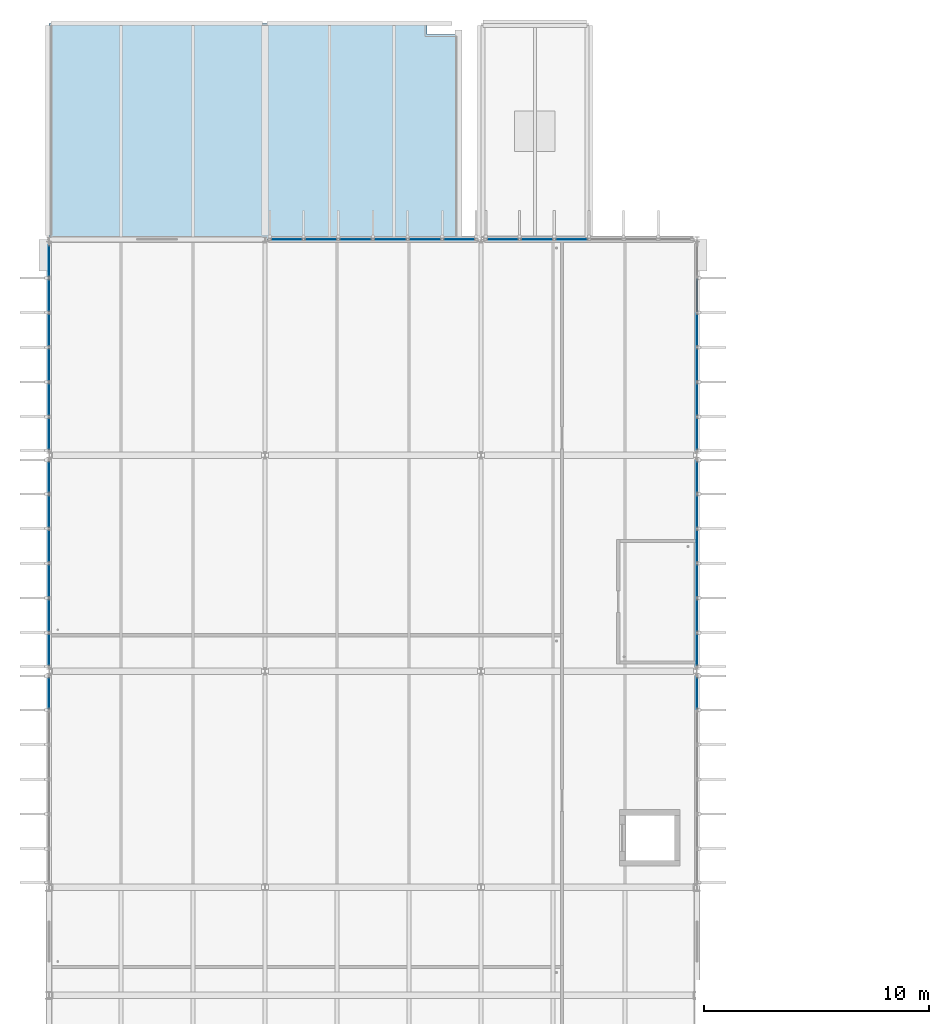
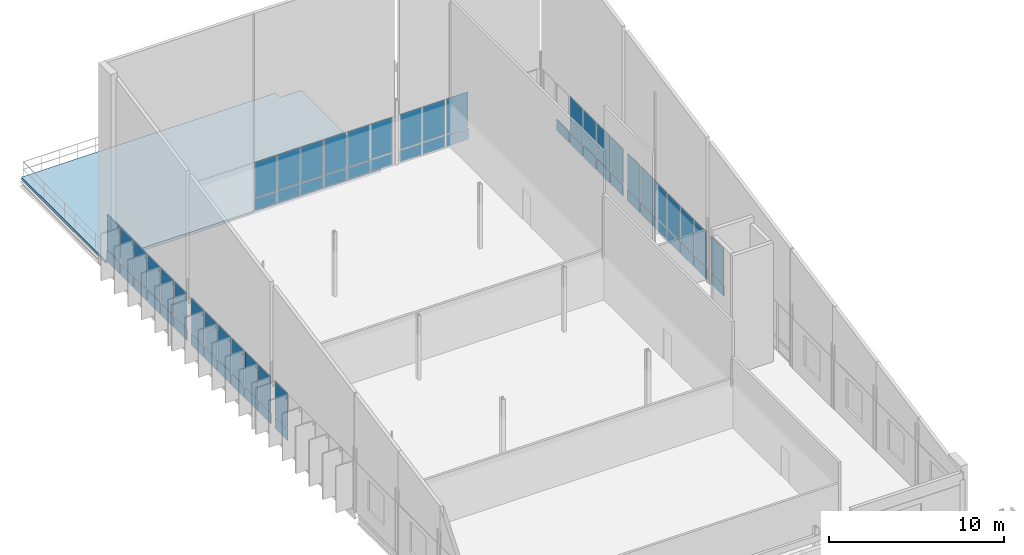
# One storey, part 45 of 93: 67 plates, 1 slab, 8 elements without a shape of their own.
"""IFC4 building model written with IfcOpenShell, lengths in metres."""

from ifc_helpers import new_model, si_unit, direction, frame, origin, origin_2d, place, context, subcontext, project, spatial, polyline, rectangle, outline, extrude, material, layer, layer_set, type_object, element, aggregate, save


model = new_model("IFC4")

# Units and contexts
model_context = context("Model", 3, precision=1e-05, world=origin(), true_north=direction((0.0, 1.0)))
body_context = subcontext(model_context, "Body", "Model", "MODEL_VIEW")
ifc_project = project(units=[si_unit("LENGTHUNIT", "METRE"), si_unit("AREAUNIT", "SQUARE_METRE"), si_unit("VOLUMEUNIT", "CUBIC_METRE"), si_unit("PLANEANGLEUNIT", "RADIAN"), si_unit("MASSUNIT", "GRAM", prefix="KILO")], contexts=[model_context])

# Site, building, storey
site_placement = place(None, origin())
site = spatial("IfcSite", under=ifc_project, at=site_placement, CompositionType="ELEMENT")
building_placement = place(site_placement, origin())
building = spatial("IfcBuilding", under=site, at=building_placement, Name="Dunescarp Central Library", CompositionType="ELEMENT")
storey_placement = place(building_placement, frame((0.0, 0.0, 14.10009765625)))
storey = spatial("IfcBuildingStorey", under=building, at=storey_placement, Name="L03", CompositionType="ELEMENT", Elevation=14.10009765625)

# Curtain wall, plate
ifc_material_1 = material(Name="Marine-grade anodised aluminium 6063-T6", Category="aluminium")
curtain_wall_type = type_object("IfcCurtainWallType", Name="ARC-CW-STICK", PredefinedType="NOTDEFINED", material=ifc_material_1)
curtain_wall_1_placement = place(storey_placement, origin())
curtain_wall_1 = element("IfcCurtainWall", 1, at=curtain_wall_1_placement, inside=storey, type_object=curtain_wall_type, Name="L03 curtain wall CW-V4-130", PredefinedType="NOTDEFINED")
ifc_material_2 = material(Name="Solar-control laminated double glazing", Category="glass")
ifc_layer_1 = layer(ifc_material_2, 0.028076171875)
ifc_layer_set_1 = layer_set([ifc_layer_1], Name="Solar-control laminated double glazing")
plate_type_1 = type_object("IfcPlateType", Name="ARC-PLT-GLZ28", PredefinedType="CURTAIN_PANEL", material=ifc_layer_set_1)
plate_1_placement = place(storey_placement, frame((0.0, 69.43408203125, 0.93994140625), z_axis=(0.0, 0.0, 1.0), x_axis=(0.0, 1.0, 0.0)))
plate_1 = element("IfcPlate", 2, at=plate_1_placement, type_object=plate_type_1, Name="CW-V4-130 panel 6.2", PredefinedType="CURTAIN_PANEL", context=body_context, shape_type="SweptSolid", body=[
    extrude(rectangle(XDim=1.421630859375, YDim=0.028076171875, at=origin_2d()), origin(), (0.0, 0.0, 1.0), 2.4619140625),
])

curtain_wall_2_placement = place(storey_placement, origin())
curtain_wall_2 = element("IfcCurtainWall", 3, at=curtain_wall_2_placement, inside=storey, type_object=curtain_wall_type, Name="L03 curtain wall CW-V4-131", PredefinedType="NOTDEFINED")
plate_2_placement = place(storey_placement, frame((28.800048828125, 69.43408203125, 0.93994140625), z_axis=(0.0, 0.0, 1.0), x_axis=(0.0, -1.0, 0.0)))
plate_2 = element("IfcPlate", 4, at=plate_2_placement, type_object=plate_type_1, Name="CW-V4-131 panel 1.2", PredefinedType="CURTAIN_PANEL", context=body_context, shape_type="SweptSolid", body=[
    extrude(rectangle(XDim=1.421630859375, YDim=0.028076171875, at=origin_2d()), origin(), (0.0, 0.0, 1.0), 2.4619140625),
])

# Curtain wall, plates
curtain_wall_3_placement = place(storey_placement, origin())
curtain_wall_3 = element("IfcCurtainWall", 5, at=curtain_wall_3_placement, inside=storey, type_object=curtain_wall_type, Name="L03 curtain wall CW-V4-132", PredefinedType="NOTDEFINED")
plate_3_placement = place(storey_placement, frame((0.0, 71.36572265625, 0.93994140625), z_axis=(0.0, 0.0, 1.0), x_axis=(0.0, 1.0, 0.0)))
plate_3 = element("IfcPlate", 6, at=plate_3_placement, type_object=plate_type_1, Name="CW-V4-132 panel 1.2", PredefinedType="CURTAIN_PANEL", context=body_context, shape_type="SweptSolid", body=[
    extrude(rectangle(XDim=1.421630859375, YDim=0.028076171875, at=origin_2d()), origin(), (0.0, 0.0, 1.0), 2.4619140625),
])
plate_4_placement = place(storey_placement, frame((0.0, 72.887451171875, 0.93994140625), z_axis=(0.0, 0.0, 1.0), x_axis=(0.0, 1.0, 0.0)))
plate_4 = element("IfcPlate", 7, at=plate_4_placement, type_object=plate_type_1, Name="CW-V4-132 panel 2.2", PredefinedType="CURTAIN_PANEL", context=body_context, shape_type="SweptSolid", body=[
    extrude(rectangle(XDim=1.461669921875, YDim=0.028076171875, at=origin_2d()), origin(), (0.0, 0.0, 1.0), 2.4619140625),
])
plate_5_placement = place(storey_placement, frame((0.0, 74.42919921875, 0.93994140625), z_axis=(0.0, 0.0, 1.0), x_axis=(0.0, 1.0, 0.0)))
plate_5 = element("IfcPlate", 8, at=plate_5_placement, type_object=plate_type_1, Name="CW-V4-132 panel 3.2", PredefinedType="CURTAIN_PANEL", context=body_context, shape_type="SweptSolid", body=[
    extrude(rectangle(XDim=1.461669921875, YDim=0.028076171875, at=origin_2d()), origin(), (0.0, 0.0, 1.0), 2.4619140625),
])
plate_6_placement = place(storey_placement, frame((0.0, 75.970947265625, 0.93994140625), z_axis=(0.0, 0.0, 1.0), x_axis=(0.0, 1.0, 0.0)))
plate_6 = element("IfcPlate", 9, at=plate_6_placement, type_object=plate_type_1, Name="CW-V4-132 panel 4.2", PredefinedType="CURTAIN_PANEL", context=body_context, shape_type="SweptSolid", body=[
    extrude(rectangle(XDim=1.461669921875, YDim=0.028076171875, at=origin_2d()), origin(), (0.0, 0.0, 1.0), 2.4619140625),
])
plate_7_placement = place(storey_placement, frame((0.0, 77.512451171875, 0.93994140625), z_axis=(0.0, 0.0, 1.0), x_axis=(0.0, 1.0, 0.0)))
plate_7 = element("IfcPlate", 10, at=plate_7_placement, type_object=plate_type_1, Name="CW-V4-132 panel 5.2", PredefinedType="CURTAIN_PANEL", context=body_context, shape_type="SweptSolid", body=[
    extrude(rectangle(XDim=1.461669921875, YDim=0.028076171875, at=origin_2d()), origin(), (0.0, 0.0, 1.0), 2.4619140625),
])
plate_8_placement = place(storey_placement, frame((0.0, 79.0341796875, 0.93994140625), z_axis=(0.0, 0.0, 1.0), x_axis=(0.0, 1.0, 0.0)))
plate_8 = element("IfcPlate", 11, at=plate_8_placement, type_object=plate_type_1, Name="CW-V4-132 panel 6.2", PredefinedType="CURTAIN_PANEL", context=body_context, shape_type="SweptSolid", body=[
    extrude(rectangle(XDim=1.421630859375, YDim=0.028076171875, at=origin_2d()), origin(), (0.0, 0.0, 1.0), 2.4619140625),
])

curtain_wall_4_placement = place(storey_placement, origin())
curtain_wall_4 = element("IfcCurtainWall", 12, at=curtain_wall_4_placement, inside=storey, type_object=curtain_wall_type, Name="L03 curtain wall CW-V4-133", PredefinedType="NOTDEFINED")
plate_9_placement = place(storey_placement, frame((28.800048828125, 79.0341796875, 0.93994140625), z_axis=(0.0, 0.0, 1.0), x_axis=(0.0, -1.0, 0.0)))
plate_9 = element("IfcPlate", 13, at=plate_9_placement, type_object=plate_type_1, Name="CW-V4-133 panel 1.2", PredefinedType="CURTAIN_PANEL", context=body_context, shape_type="SweptSolid", body=[
    extrude(rectangle(XDim=1.421630859375, YDim=0.028076171875, at=origin_2d()), origin(), (0.0, 0.0, 1.0), 2.4619140625),
])
plate_10_placement = place(storey_placement, frame((28.800048828125, 77.512451171875, 0.93994140625), z_axis=(0.0, 0.0, 1.0), x_axis=(0.0, -1.0, 0.0)))
plate_10 = element("IfcPlate", 14, at=plate_10_placement, type_object=plate_type_1, Name="CW-V4-133 panel 2.2", PredefinedType="CURTAIN_PANEL", context=body_context, shape_type="SweptSolid", body=[
    extrude(rectangle(XDim=1.461669921875, YDim=0.028076171875, at=origin_2d()), origin(), (0.0, 0.0, 1.0), 2.4619140625),
])
plate_11_placement = place(storey_placement, frame((28.800048828125, 75.970947265625, 0.93994140625), z_axis=(0.0, 0.0, 1.0), x_axis=(0.0, -1.0, 0.0)))
plate_11 = element("IfcPlate", 15, at=plate_11_placement, type_object=plate_type_1, Name="CW-V4-133 panel 3.2", PredefinedType="CURTAIN_PANEL", context=body_context, shape_type="SweptSolid", body=[
    extrude(rectangle(XDim=1.461669921875, YDim=0.028076171875, at=origin_2d()), origin(), (0.0, 0.0, 1.0), 2.4619140625),
])
plate_12_placement = place(storey_placement, frame((28.800048828125, 74.42919921875, 0.93994140625), z_axis=(0.0, 0.0, 1.0), x_axis=(0.0, -1.0, 0.0)))
plate_12 = element("IfcPlate", 16, at=plate_12_placement, type_object=plate_type_1, Name="CW-V4-133 panel 4.2", PredefinedType="CURTAIN_PANEL", context=body_context, shape_type="SweptSolid", body=[
    extrude(rectangle(XDim=1.461669921875, YDim=0.028076171875, at=origin_2d()), origin(), (0.0, 0.0, 1.0), 2.4619140625),
])
plate_13_placement = place(storey_placement, frame((28.800048828125, 72.887451171875, 0.93994140625), z_axis=(0.0, 0.0, 1.0), x_axis=(0.0, -1.0, 0.0)))
plate_13 = element("IfcPlate", 17, at=plate_13_placement, type_object=plate_type_1, Name="CW-V4-133 panel 5.2", PredefinedType="CURTAIN_PANEL", context=body_context, shape_type="SweptSolid", body=[
    extrude(rectangle(XDim=1.461669921875, YDim=0.028076171875, at=origin_2d()), origin(), (0.0, 0.0, 1.0), 2.4619140625),
])
plate_14_placement = place(storey_placement, frame((28.800048828125, 71.36572265625, 0.93994140625), z_axis=(0.0, 0.0, 1.0), x_axis=(0.0, -1.0, 0.0)))
plate_14 = element("IfcPlate", 18, at=plate_14_placement, type_object=plate_type_1, Name="CW-V4-133 panel 6.2", PredefinedType="CURTAIN_PANEL", context=body_context, shape_type="SweptSolid", body=[
    extrude(rectangle(XDim=1.421630859375, YDim=0.028076171875, at=origin_2d()), origin(), (0.0, 0.0, 1.0), 2.4619140625),
])

curtain_wall_5_placement = place(storey_placement, origin())
curtain_wall_5 = element("IfcCurtainWall", 19, at=curtain_wall_5_placement, inside=storey, type_object=curtain_wall_type, Name="L03 curtain wall CW-V4-134", PredefinedType="NOTDEFINED")
plate_15_placement = place(storey_placement, frame((0.0, 80.9658203125, 0.93994140625), z_axis=(0.0, 0.0, 1.0), x_axis=(0.0, 1.0, 0.0)))
plate_15 = element("IfcPlate", 20, at=plate_15_placement, type_object=plate_type_1, Name="CW-V4-134 panel 1.2", PredefinedType="CURTAIN_PANEL", context=body_context, shape_type="SweptSolid", body=[
    extrude(rectangle(XDim=1.421630859375, YDim=0.028076171875, at=origin_2d()), origin(), (0.0, 0.0, 1.0), 2.4619140625),
])
plate_16_placement = place(storey_placement, frame((0.0, 82.487548828125, 0.93994140625), z_axis=(0.0, 0.0, 1.0), x_axis=(0.0, 1.0, 0.0)))
plate_16 = element("IfcPlate", 21, at=plate_16_placement, type_object=plate_type_1, Name="CW-V4-134 panel 2.2", PredefinedType="CURTAIN_PANEL", context=body_context, shape_type="SweptSolid", body=[
    extrude(rectangle(XDim=1.461669921875, YDim=0.028076171875, at=origin_2d()), origin(), (0.0, 0.0, 1.0), 2.4619140625),
])
plate_17_placement = place(storey_placement, frame((0.0, 84.029052734375, 0.93994140625), z_axis=(0.0, 0.0, 1.0), x_axis=(0.0, 1.0, 0.0)))
plate_17 = element("IfcPlate", 22, at=plate_17_placement, type_object=plate_type_1, Name="CW-V4-134 panel 3.2", PredefinedType="CURTAIN_PANEL", context=body_context, shape_type="SweptSolid", body=[
    extrude(rectangle(XDim=1.461669921875, YDim=0.028076171875, at=origin_2d()), origin(), (0.0, 0.0, 1.0), 2.4619140625),
])
plate_18_placement = place(storey_placement, frame((0.0, 85.57080078125, 0.93994140625), z_axis=(0.0, 0.0, 1.0), x_axis=(0.0, 1.0, 0.0)))
plate_18 = element("IfcPlate", 23, at=plate_18_placement, type_object=plate_type_1, Name="CW-V4-134 panel 4.2", PredefinedType="CURTAIN_PANEL", context=body_context, shape_type="SweptSolid", body=[
    extrude(rectangle(XDim=1.461669921875, YDim=0.028076171875, at=origin_2d()), origin(), (0.0, 0.0, 1.0), 2.4619140625),
])
plate_19_placement = place(storey_placement, frame((0.0, 87.112548828125, 0.93994140625), z_axis=(0.0, 0.0, 1.0), x_axis=(0.0, 1.0, 0.0)))
plate_19 = element("IfcPlate", 24, at=plate_19_placement, type_object=plate_type_1, Name="CW-V4-134 panel 5.2", PredefinedType="CURTAIN_PANEL", context=body_context, shape_type="SweptSolid", body=[
    extrude(rectangle(XDim=1.461669921875, YDim=0.028076171875, at=origin_2d()), origin(), (0.0, 0.0, 1.0), 2.4619140625),
])
plate_20_placement = place(storey_placement, frame((0.0, 88.63427734375, 0.93994140625), z_axis=(0.0, 0.0, 1.0), x_axis=(0.0, 1.0, 0.0)))
plate_20 = element("IfcPlate", 25, at=plate_20_placement, type_object=plate_type_1, Name="CW-V4-134 panel 6.2", PredefinedType="CURTAIN_PANEL", context=body_context, shape_type="SweptSolid", body=[
    extrude(rectangle(XDim=1.421630859375, YDim=0.028076171875, at=origin_2d()), origin(), (0.0, 0.0, 1.0), 2.4619140625),
])

curtain_wall_6_placement = place(storey_placement, origin())
curtain_wall_6 = element("IfcCurtainWall", 26, at=curtain_wall_6_placement, inside=storey, type_object=curtain_wall_type, Name="L03 curtain wall CW-V4-135", PredefinedType="NOTDEFINED")
plate_21_placement = place(storey_placement, frame((28.800048828125, 85.57080078125, 0.93994140625), z_axis=(0.0, 0.0, 1.0), x_axis=(0.0, -1.0, 0.0)))
plate_21 = element("IfcPlate", 27, at=plate_21_placement, type_object=plate_type_1, Name="CW-V4-135 panel 3.2", PredefinedType="CURTAIN_PANEL", context=body_context, shape_type="SweptSolid", body=[
    extrude(rectangle(XDim=1.461669921875, YDim=0.028076171875, at=origin_2d()), origin(), (0.0, 0.0, 1.0), 2.4619140625),
])
plate_22_placement = place(storey_placement, frame((28.800048828125, 84.029052734375, 0.93994140625), z_axis=(0.0, 0.0, 1.0), x_axis=(0.0, -1.0, 0.0)))
plate_22 = element("IfcPlate", 28, at=plate_22_placement, type_object=plate_type_1, Name="CW-V4-135 panel 4.2", PredefinedType="CURTAIN_PANEL", context=body_context, shape_type="SweptSolid", body=[
    extrude(rectangle(XDim=1.461669921875, YDim=0.028076171875, at=origin_2d()), origin(), (0.0, 0.0, 1.0), 2.4619140625),
])
plate_23_placement = place(storey_placement, frame((28.800048828125, 82.487548828125, 0.93994140625), z_axis=(0.0, 0.0, 1.0), x_axis=(0.0, -1.0, 0.0)))
plate_23 = element("IfcPlate", 29, at=plate_23_placement, type_object=plate_type_1, Name="CW-V4-135 panel 5.2", PredefinedType="CURTAIN_PANEL", context=body_context, shape_type="SweptSolid", body=[
    extrude(rectangle(XDim=1.461669921875, YDim=0.028076171875, at=origin_2d()), origin(), (0.0, 0.0, 1.0), 2.4619140625),
])
plate_24_placement = place(storey_placement, frame((28.800048828125, 80.9658203125, 0.93994140625), z_axis=(0.0, 0.0, 1.0), x_axis=(0.0, -1.0, 0.0)))
plate_24 = element("IfcPlate", 30, at=plate_24_placement, type_object=plate_type_1, Name="CW-V4-135 panel 6.2", PredefinedType="CURTAIN_PANEL", context=body_context, shape_type="SweptSolid", body=[
    extrude(rectangle(XDim=1.421630859375, YDim=0.028076171875, at=origin_2d()), origin(), (0.0, 0.0, 1.0), 2.4619140625),
])

curtain_wall_7_placement = place(storey_placement, origin())
curtain_wall_7 = element("IfcCurtainWall", 31, at=curtain_wall_7_placement, inside=storey, type_object=curtain_wall_type, Name="L03 curtain wall CW-V4-136", PredefinedType="NOTDEFINED")
plate_25_placement = place(storey_placement, frame((10.56591796875, 89.60009765625, 0.93994140625), z_axis=(0.0, 0.0, 1.0), x_axis=(1.0, 0.0, 0.0)))
plate_25 = element("IfcPlate", 32, at=plate_25_placement, type_object=plate_type_1, Name="CW-V4-136 panel 1.2", PredefinedType="CURTAIN_PANEL", context=body_context, shape_type="SweptSolid", body=[
    extrude(rectangle(XDim=1.421630859375, YDim=0.028076171875, at=origin_2d()), origin(), (0.0, 0.0, 1.0), 2.455078125),
])
plate_26_placement = place(storey_placement, frame((12.08740234375, 89.60009765625, 0.93994140625), z_axis=(0.0, 0.0, 1.0), x_axis=(1.0, 0.0, 0.0)))
plate_26 = element("IfcPlate", 33, at=plate_26_placement, type_object=plate_type_1, Name="CW-V4-136 panel 2.2", PredefinedType="CURTAIN_PANEL", context=body_context, shape_type="SweptSolid", body=[
    extrude(rectangle(XDim=1.461669921875, YDim=0.028076171875, at=origin_2d()), origin(), (0.0, 0.0, 1.0), 2.455078125),
])
plate_27_placement = place(storey_placement, frame((13.629150390625, 89.60009765625, 0.93994140625), z_axis=(0.0, 0.0, 1.0), x_axis=(1.0, 0.0, 0.0)))
plate_27 = element("IfcPlate", 34, at=plate_27_placement, type_object=plate_type_1, Name="CW-V4-136 panel 3.2", PredefinedType="CURTAIN_PANEL", context=body_context, shape_type="SweptSolid", body=[
    extrude(rectangle(XDim=1.461669921875, YDim=0.028076171875, at=origin_2d()), origin(), (0.0, 0.0, 1.0), 2.455078125),
])
plate_28_placement = place(storey_placement, frame((15.1708984375, 89.60009765625, 0.93994140625), z_axis=(0.0, 0.0, 1.0), x_axis=(1.0, 0.0, 0.0)))
plate_28 = element("IfcPlate", 35, at=plate_28_placement, type_object=plate_type_1, Name="CW-V4-136 panel 4.2", PredefinedType="CURTAIN_PANEL", context=body_context, shape_type="SweptSolid", body=[
    extrude(rectangle(XDim=1.461669921875, YDim=0.028076171875, at=origin_2d()), origin(), (0.0, 0.0, 1.0), 2.455078125),
])
plate_29_placement = place(storey_placement, frame((16.71240234375, 89.60009765625, 0.93994140625), z_axis=(0.0, 0.0, 1.0), x_axis=(1.0, 0.0, 0.0)))
plate_29 = element("IfcPlate", 36, at=plate_29_placement, type_object=plate_type_1, Name="CW-V4-136 panel 5.2", PredefinedType="CURTAIN_PANEL", context=body_context, shape_type="SweptSolid", body=[
    extrude(rectangle(XDim=1.461669921875, YDim=0.028076171875, at=origin_2d()), origin(), (0.0, 0.0, 1.0), 2.455078125),
])
plate_30_placement = place(storey_placement, frame((18.234130859375, 89.60009765625, 0.93994140625), z_axis=(0.0, 0.0, 1.0), x_axis=(1.0, 0.0, 0.0)))
plate_30 = element("IfcPlate", 37, at=plate_30_placement, type_object=plate_type_1, Name="CW-V4-136 panel 6.2", PredefinedType="CURTAIN_PANEL", context=body_context, shape_type="SweptSolid", body=[
    extrude(rectangle(XDim=1.421630859375, YDim=0.028076171875, at=origin_2d()), origin(), (0.0, 0.0, 1.0), 2.455078125),
])

curtain_wall_8_placement = place(storey_placement, origin())
curtain_wall_8 = element("IfcCurtainWall", 38, at=curtain_wall_8_placement, inside=storey, type_object=curtain_wall_type, Name="L03 curtain wall CW-V4-137", PredefinedType="NOTDEFINED")
plate_31_placement = place(storey_placement, frame((20.165771484375, 89.60009765625, 0.93994140625), z_axis=(0.0, 0.0, 1.0), x_axis=(1.0, 0.0, 0.0)))
plate_31 = element("IfcPlate", 39, at=plate_31_placement, type_object=plate_type_1, Name="CW-V4-137 panel 1.2", PredefinedType="CURTAIN_PANEL", context=body_context, shape_type="SweptSolid", body=[
    extrude(rectangle(XDim=1.421630859375, YDim=0.028076171875, at=origin_2d()), origin(), (0.0, 0.0, 1.0), 2.455078125),
])
plate_32_placement = place(storey_placement, frame((21.6875, 89.60009765625, 0.93994140625), z_axis=(0.0, 0.0, 1.0), x_axis=(1.0, 0.0, 0.0)))
plate_32 = element("IfcPlate", 40, at=plate_32_placement, type_object=plate_type_1, Name="CW-V4-137 panel 2.2", PredefinedType="CURTAIN_PANEL", context=body_context, shape_type="SweptSolid", body=[
    extrude(rectangle(XDim=1.461669921875, YDim=0.028076171875, at=origin_2d()), origin(), (0.0, 0.0, 1.0), 2.455078125),
])
plate_33_placement = place(storey_placement, frame((23.229248046875, 89.60009765625, 0.93994140625), z_axis=(0.0, 0.0, 1.0), x_axis=(1.0, 0.0, 0.0)))
plate_33 = element("IfcPlate", 41, at=plate_33_placement, type_object=plate_type_1, Name="CW-V4-137 panel 3.2", PredefinedType="CURTAIN_PANEL", context=body_context, shape_type="SweptSolid", body=[
    extrude(rectangle(XDim=1.461669921875, YDim=0.028076171875, at=origin_2d()), origin(), (0.0, 0.0, 1.0), 2.455078125),
])

# Plate
ifc_layer_2 = layer(ifc_material_1, 0.050048828125)
ifc_layer_set_2 = layer_set([ifc_layer_2], Name="Marine-grade anodised aluminium 6063-T6")
plate_type_2 = type_object("IfcPlateType", Name="ARC-PLT-SPN50", PredefinedType="SHEET", material=ifc_layer_set_2)
plate_34_placement = place(storey_placement, frame((0.0, 69.43408203125, 0.080078125), z_axis=(0.0, 0.0, 1.0), x_axis=(0.0, 1.0, 0.0)))
plate_34 = element("IfcPlate", 42, at=plate_34_placement, type_object=plate_type_2, Name="CW-V4-130 panel 6.1", PredefinedType="SHEET", context=body_context, shape_type="SweptSolid", body=[
    extrude(rectangle(XDim=1.421630859375, YDim=0.050048828125, at=origin_2d()), origin(), (0.0, 0.0, 1.0), 0.780029296875),
])

aggregate(curtain_wall_1, [plate_34, plate_1])

plate_35_placement = place(storey_placement, frame((28.800048828125, 69.43408203125, 0.080078125), z_axis=(0.0, 0.0, 1.0), x_axis=(0.0, -1.0, 0.0)))
plate_35 = element("IfcPlate", 43, at=plate_35_placement, type_object=plate_type_2, Name="CW-V4-131 panel 1.1", PredefinedType="SHEET", context=body_context, shape_type="SweptSolid", body=[
    extrude(rectangle(XDim=1.421630859375, YDim=0.050048828125, at=origin_2d()), origin(), (0.0, 0.0, 1.0), 0.780029296875),
])

aggregate(curtain_wall_2, [plate_35, plate_2])

plate_36_placement = place(storey_placement, frame((0.0, 71.36572265625, 0.080078125), z_axis=(0.0, 0.0, 1.0), x_axis=(0.0, 1.0, 0.0)))
plate_36 = element("IfcPlate", 44, at=plate_36_placement, type_object=plate_type_2, Name="CW-V4-132 panel 1.1", PredefinedType="SHEET", context=body_context, shape_type="SweptSolid", body=[
    extrude(rectangle(XDim=1.421630859375, YDim=0.050048828125, at=origin_2d()), origin(), (0.0, 0.0, 1.0), 0.780029296875),
])

plate_37_placement = place(storey_placement, frame((0.0, 72.887451171875, 0.080078125), z_axis=(0.0, 0.0, 1.0), x_axis=(0.0, 1.0, 0.0)))
plate_37 = element("IfcPlate", 45, at=plate_37_placement, type_object=plate_type_2, Name="CW-V4-132 panel 2.1", PredefinedType="SHEET", context=body_context, shape_type="SweptSolid", body=[
    extrude(rectangle(XDim=1.461669921875, YDim=0.050048828125, at=origin_2d()), origin(), (0.0, 0.0, 1.0), 0.780029296875),
])

plate_38_placement = place(storey_placement, frame((0.0, 74.42919921875, 0.080078125), z_axis=(0.0, 0.0, 1.0), x_axis=(0.0, 1.0, 0.0)))
plate_38 = element("IfcPlate", 46, at=plate_38_placement, type_object=plate_type_2, Name="CW-V4-132 panel 3.1", PredefinedType="SHEET", context=body_context, shape_type="SweptSolid", body=[
    extrude(rectangle(XDim=1.461669921875, YDim=0.050048828125, at=origin_2d()), origin(), (0.0, 0.0, 1.0), 0.780029296875),
])

plate_39_placement = place(storey_placement, frame((0.0, 75.970947265625, 0.080078125), z_axis=(0.0, 0.0, 1.0), x_axis=(0.0, 1.0, 0.0)))
plate_39 = element("IfcPlate", 47, at=plate_39_placement, type_object=plate_type_2, Name="CW-V4-132 panel 4.1", PredefinedType="SHEET", context=body_context, shape_type="SweptSolid", body=[
    extrude(rectangle(XDim=1.461669921875, YDim=0.050048828125, at=origin_2d()), origin(), (0.0, 0.0, 1.0), 0.780029296875),
])

plate_40_placement = place(storey_placement, frame((0.0, 77.512451171875, 0.080078125), z_axis=(0.0, 0.0, 1.0), x_axis=(0.0, 1.0, 0.0)))
plate_40 = element("IfcPlate", 48, at=plate_40_placement, type_object=plate_type_2, Name="CW-V4-132 panel 5.1", PredefinedType="SHEET", context=body_context, shape_type="SweptSolid", body=[
    extrude(rectangle(XDim=1.461669921875, YDim=0.050048828125, at=origin_2d()), origin(), (0.0, 0.0, 1.0), 0.780029296875),
])

plate_41_placement = place(storey_placement, frame((0.0, 79.0341796875, 0.080078125), z_axis=(0.0, 0.0, 1.0), x_axis=(0.0, 1.0, 0.0)))
plate_41 = element("IfcPlate", 49, at=plate_41_placement, type_object=plate_type_2, Name="CW-V4-132 panel 6.1", PredefinedType="SHEET", context=body_context, shape_type="SweptSolid", body=[
    extrude(rectangle(XDim=1.421630859375, YDim=0.050048828125, at=origin_2d()), origin(), (0.0, 0.0, 1.0), 0.780029296875),
])

aggregate(curtain_wall_3, [plate_36, plate_3, plate_37, plate_4, plate_38, plate_5, plate_39, plate_6, plate_40, plate_7, plate_41, plate_8])

plate_42_placement = place(storey_placement, frame((28.800048828125, 79.0341796875, 0.080078125), z_axis=(0.0, 0.0, 1.0), x_axis=(0.0, -1.0, 0.0)))
plate_42 = element("IfcPlate", 50, at=plate_42_placement, type_object=plate_type_2, Name="CW-V4-133 panel 1.1", PredefinedType="SHEET", context=body_context, shape_type="SweptSolid", body=[
    extrude(rectangle(XDim=1.421630859375, YDim=0.050048828125, at=origin_2d()), origin(), (0.0, 0.0, 1.0), 0.780029296875),
])

plate_43_placement = place(storey_placement, frame((28.800048828125, 77.512451171875, 0.080078125), z_axis=(0.0, 0.0, 1.0), x_axis=(0.0, -1.0, 0.0)))
plate_43 = element("IfcPlate", 51, at=plate_43_placement, type_object=plate_type_2, Name="CW-V4-133 panel 2.1", PredefinedType="SHEET", context=body_context, shape_type="SweptSolid", body=[
    extrude(rectangle(XDim=1.461669921875, YDim=0.050048828125, at=origin_2d()), origin(), (0.0, 0.0, 1.0), 0.780029296875),
])

plate_44_placement = place(storey_placement, frame((28.800048828125, 75.970947265625, 0.080078125), z_axis=(0.0, 0.0, 1.0), x_axis=(0.0, -1.0, 0.0)))
plate_44 = element("IfcPlate", 52, at=plate_44_placement, type_object=plate_type_2, Name="CW-V4-133 panel 3.1", PredefinedType="SHEET", context=body_context, shape_type="SweptSolid", body=[
    extrude(rectangle(XDim=1.461669921875, YDim=0.050048828125, at=origin_2d()), origin(), (0.0, 0.0, 1.0), 0.780029296875),
])

plate_45_placement = place(storey_placement, frame((28.800048828125, 74.42919921875, 0.080078125), z_axis=(0.0, 0.0, 1.0), x_axis=(0.0, -1.0, 0.0)))
plate_45 = element("IfcPlate", 53, at=plate_45_placement, type_object=plate_type_2, Name="CW-V4-133 panel 4.1", PredefinedType="SHEET", context=body_context, shape_type="SweptSolid", body=[
    extrude(rectangle(XDim=1.461669921875, YDim=0.050048828125, at=origin_2d()), origin(), (0.0, 0.0, 1.0), 0.780029296875),
])

plate_46_placement = place(storey_placement, frame((28.800048828125, 72.887451171875, 0.080078125), z_axis=(0.0, 0.0, 1.0), x_axis=(0.0, -1.0, 0.0)))
plate_46 = element("IfcPlate", 54, at=plate_46_placement, type_object=plate_type_2, Name="CW-V4-133 panel 5.1", PredefinedType="SHEET", context=body_context, shape_type="SweptSolid", body=[
    extrude(rectangle(XDim=1.461669921875, YDim=0.050048828125, at=origin_2d()), origin(), (0.0, 0.0, 1.0), 0.780029296875),
])

plate_47_placement = place(storey_placement, frame((28.800048828125, 71.36572265625, 0.080078125), z_axis=(0.0, 0.0, 1.0), x_axis=(0.0, -1.0, 0.0)))
plate_47 = element("IfcPlate", 55, at=plate_47_placement, type_object=plate_type_2, Name="CW-V4-133 panel 6.1", PredefinedType="SHEET", context=body_context, shape_type="SweptSolid", body=[
    extrude(rectangle(XDim=1.421630859375, YDim=0.050048828125, at=origin_2d()), origin(), (0.0, 0.0, 1.0), 0.780029296875),
])

aggregate(curtain_wall_4, [plate_42, plate_9, plate_43, plate_10, plate_44, plate_11, plate_45, plate_12, plate_46, plate_13, plate_47, plate_14])

plate_48_placement = place(storey_placement, frame((0.0, 80.9658203125, 0.080078125), z_axis=(0.0, 0.0, 1.0), x_axis=(0.0, 1.0, 0.0)))
plate_48 = element("IfcPlate", 56, at=plate_48_placement, type_object=plate_type_2, Name="CW-V4-134 panel 1.1", PredefinedType="SHEET", context=body_context, shape_type="SweptSolid", body=[
    extrude(rectangle(XDim=1.421630859375, YDim=0.050048828125, at=origin_2d()), origin(), (0.0, 0.0, 1.0), 0.780029296875),
])

plate_49_placement = place(storey_placement, frame((0.0, 82.487548828125, 0.080078125), z_axis=(0.0, 0.0, 1.0), x_axis=(0.0, 1.0, 0.0)))
plate_49 = element("IfcPlate", 57, at=plate_49_placement, type_object=plate_type_2, Name="CW-V4-134 panel 2.1", PredefinedType="SHEET", context=body_context, shape_type="SweptSolid", body=[
    extrude(rectangle(XDim=1.461669921875, YDim=0.050048828125, at=origin_2d()), origin(), (0.0, 0.0, 1.0), 0.780029296875),
])

plate_50_placement = place(storey_placement, frame((0.0, 84.029052734375, 0.080078125), z_axis=(0.0, 0.0, 1.0), x_axis=(0.0, 1.0, 0.0)))
plate_50 = element("IfcPlate", 58, at=plate_50_placement, type_object=plate_type_2, Name="CW-V4-134 panel 3.1", PredefinedType="SHEET", context=body_context, shape_type="SweptSolid", body=[
    extrude(rectangle(XDim=1.461669921875, YDim=0.050048828125, at=origin_2d()), origin(), (0.0, 0.0, 1.0), 0.780029296875),
])

plate_51_placement = place(storey_placement, frame((0.0, 85.57080078125, 0.080078125), z_axis=(0.0, 0.0, 1.0), x_axis=(0.0, 1.0, 0.0)))
plate_51 = element("IfcPlate", 59, at=plate_51_placement, type_object=plate_type_2, Name="CW-V4-134 panel 4.1", PredefinedType="SHEET", context=body_context, shape_type="SweptSolid", body=[
    extrude(rectangle(XDim=1.461669921875, YDim=0.050048828125, at=origin_2d()), origin(), (0.0, 0.0, 1.0), 0.780029296875),
])

plate_52_placement = place(storey_placement, frame((0.0, 87.112548828125, 0.080078125), z_axis=(0.0, 0.0, 1.0), x_axis=(0.0, 1.0, 0.0)))
plate_52 = element("IfcPlate", 60, at=plate_52_placement, type_object=plate_type_2, Name="CW-V4-134 panel 5.1", PredefinedType="SHEET", context=body_context, shape_type="SweptSolid", body=[
    extrude(rectangle(XDim=1.461669921875, YDim=0.050048828125, at=origin_2d()), origin(), (0.0, 0.0, 1.0), 0.780029296875),
])

plate_53_placement = place(storey_placement, frame((0.0, 88.63427734375, 0.080078125), z_axis=(0.0, 0.0, 1.0), x_axis=(0.0, 1.0, 0.0)))
plate_53 = element("IfcPlate", 61, at=plate_53_placement, type_object=plate_type_2, Name="CW-V4-134 panel 6.1", PredefinedType="SHEET", context=body_context, shape_type="SweptSolid", body=[
    extrude(rectangle(XDim=1.421630859375, YDim=0.050048828125, at=origin_2d()), origin(), (0.0, 0.0, 1.0), 0.780029296875),
])

aggregate(curtain_wall_5, [plate_48, plate_15, plate_49, plate_16, plate_50, plate_17, plate_51, plate_18, plate_52, plate_19, plate_53, plate_20])

plate_54_placement = place(storey_placement, frame((28.800048828125, 87.112548828125, 0.080078125), z_axis=(0.0, 0.0, 1.0), x_axis=(0.0, -1.0, 0.0)))
plate_54 = element("IfcPlate", 62, at=plate_54_placement, type_object=plate_type_2, Name="CW-V4-135 panel 2.1", PredefinedType="SHEET", context=body_context, shape_type="SweptSolid", body=[
    extrude(rectangle(XDim=1.461669921875, YDim=0.050048828125, at=origin_2d()), origin(), (0.0, 0.0, 1.0), 0.780029296875),
])

plate_55_placement = place(storey_placement, frame((28.800048828125, 85.57080078125, 0.080078125), z_axis=(0.0, 0.0, 1.0), x_axis=(0.0, -1.0, 0.0)))
plate_55 = element("IfcPlate", 63, at=plate_55_placement, type_object=plate_type_2, Name="CW-V4-135 panel 3.1", PredefinedType="SHEET", context=body_context, shape_type="SweptSolid", body=[
    extrude(rectangle(XDim=1.461669921875, YDim=0.050048828125, at=origin_2d()), origin(), (0.0, 0.0, 1.0), 0.780029296875),
])

plate_56_placement = place(storey_placement, frame((28.800048828125, 84.029052734375, 0.080078125), z_axis=(0.0, 0.0, 1.0), x_axis=(0.0, -1.0, 0.0)))
plate_56 = element("IfcPlate", 64, at=plate_56_placement, type_object=plate_type_2, Name="CW-V4-135 panel 4.1", PredefinedType="SHEET", context=body_context, shape_type="SweptSolid", body=[
    extrude(rectangle(XDim=1.461669921875, YDim=0.050048828125, at=origin_2d()), origin(), (0.0, 0.0, 1.0), 0.780029296875),
])

plate_57_placement = place(storey_placement, frame((28.800048828125, 82.487548828125, 0.080078125), z_axis=(0.0, 0.0, 1.0), x_axis=(0.0, -1.0, 0.0)))
plate_57 = element("IfcPlate", 65, at=plate_57_placement, type_object=plate_type_2, Name="CW-V4-135 panel 5.1", PredefinedType="SHEET", context=body_context, shape_type="SweptSolid", body=[
    extrude(rectangle(XDim=1.461669921875, YDim=0.050048828125, at=origin_2d()), origin(), (0.0, 0.0, 1.0), 0.780029296875),
])

plate_58_placement = place(storey_placement, frame((28.800048828125, 80.9658203125, 0.080078125), z_axis=(0.0, 0.0, 1.0), x_axis=(0.0, -1.0, 0.0)))
plate_58 = element("IfcPlate", 66, at=plate_58_placement, type_object=plate_type_2, Name="CW-V4-135 panel 6.1", PredefinedType="SHEET", context=body_context, shape_type="SweptSolid", body=[
    extrude(rectangle(XDim=1.421630859375, YDim=0.050048828125, at=origin_2d()), origin(), (0.0, 0.0, 1.0), 0.780029296875),
])

aggregate(curtain_wall_6, [plate_54, plate_55, plate_21, plate_56, plate_22, plate_57, plate_23, plate_58, plate_24])

plate_59_placement = place(storey_placement, frame((10.56591796875, 89.60009765625, 0.080078125), z_axis=(0.0, 0.0, 1.0), x_axis=(1.0, 0.0, 0.0)))
plate_59 = element("IfcPlate", 67, at=plate_59_placement, type_object=plate_type_2, Name="CW-V4-136 panel 1.1", PredefinedType="SHEET", context=body_context, shape_type="SweptSolid", body=[
    extrude(rectangle(XDim=1.421630859375, YDim=0.050048828125, at=origin_2d()), origin(), (0.0, 0.0, 1.0), 0.780029296875),
])

plate_60_placement = place(storey_placement, frame((12.08740234375, 89.60009765625, 0.080078125), z_axis=(0.0, 0.0, 1.0), x_axis=(1.0, 0.0, 0.0)))
plate_60 = element("IfcPlate", 68, at=plate_60_placement, type_object=plate_type_2, Name="CW-V4-136 panel 2.1", PredefinedType="SHEET", context=body_context, shape_type="SweptSolid", body=[
    extrude(rectangle(XDim=1.461669921875, YDim=0.050048828125, at=origin_2d()), origin(), (0.0, 0.0, 1.0), 0.780029296875),
])

plate_61_placement = place(storey_placement, frame((13.629150390625, 89.60009765625, 0.080078125), z_axis=(0.0, 0.0, 1.0), x_axis=(1.0, 0.0, 0.0)))
plate_61 = element("IfcPlate", 69, at=plate_61_placement, type_object=plate_type_2, Name="CW-V4-136 panel 3.1", PredefinedType="SHEET", context=body_context, shape_type="SweptSolid", body=[
    extrude(rectangle(XDim=1.461669921875, YDim=0.050048828125, at=origin_2d()), origin(), (0.0, 0.0, 1.0), 0.780029296875),
])

plate_62_placement = place(storey_placement, frame((15.1708984375, 89.60009765625, 0.080078125), z_axis=(0.0, 0.0, 1.0), x_axis=(1.0, 0.0, 0.0)))
plate_62 = element("IfcPlate", 70, at=plate_62_placement, type_object=plate_type_2, Name="CW-V4-136 panel 4.1", PredefinedType="SHEET", context=body_context, shape_type="SweptSolid", body=[
    extrude(rectangle(XDim=1.461669921875, YDim=0.050048828125, at=origin_2d()), origin(), (0.0, 0.0, 1.0), 0.780029296875),
])

plate_63_placement = place(storey_placement, frame((16.71240234375, 89.60009765625, 0.080078125), z_axis=(0.0, 0.0, 1.0), x_axis=(1.0, 0.0, 0.0)))
plate_63 = element("IfcPlate", 71, at=plate_63_placement, type_object=plate_type_2, Name="CW-V4-136 panel 5.1", PredefinedType="SHEET", context=body_context, shape_type="SweptSolid", body=[
    extrude(rectangle(XDim=1.461669921875, YDim=0.050048828125, at=origin_2d()), origin(), (0.0, 0.0, 1.0), 0.780029296875),
])

plate_64_placement = place(storey_placement, frame((18.234130859375, 89.60009765625, 0.080078125), z_axis=(0.0, 0.0, 1.0), x_axis=(1.0, 0.0, 0.0)))
plate_64 = element("IfcPlate", 72, at=plate_64_placement, type_object=plate_type_2, Name="CW-V4-136 panel 6.1", PredefinedType="SHEET", context=body_context, shape_type="SweptSolid", body=[
    extrude(rectangle(XDim=1.421630859375, YDim=0.050048828125, at=origin_2d()), origin(), (0.0, 0.0, 1.0), 0.780029296875),
])

aggregate(curtain_wall_7, [plate_59, plate_25, plate_60, plate_26, plate_61, plate_27, plate_62, plate_28, plate_63, plate_29, plate_64, plate_30])

plate_65_placement = place(storey_placement, frame((20.165771484375, 89.60009765625, 0.080078125), z_axis=(0.0, 0.0, 1.0), x_axis=(1.0, 0.0, 0.0)))
plate_65 = element("IfcPlate", 73, at=plate_65_placement, type_object=plate_type_2, Name="CW-V4-137 panel 1.1", PredefinedType="SHEET", context=body_context, shape_type="SweptSolid", body=[
    extrude(rectangle(XDim=1.421630859375, YDim=0.050048828125, at=origin_2d()), origin(), (0.0, 0.0, 1.0), 0.780029296875),
])

plate_66_placement = place(storey_placement, frame((21.6875, 89.60009765625, 0.080078125), z_axis=(0.0, 0.0, 1.0), x_axis=(1.0, 0.0, 0.0)))
plate_66 = element("IfcPlate", 74, at=plate_66_placement, type_object=plate_type_2, Name="CW-V4-137 panel 2.1", PredefinedType="SHEET", context=body_context, shape_type="SweptSolid", body=[
    extrude(rectangle(XDim=1.461669921875, YDim=0.050048828125, at=origin_2d()), origin(), (0.0, 0.0, 1.0), 0.780029296875),
])

plate_67_placement = place(storey_placement, frame((23.229248046875, 89.60009765625, 0.080078125), z_axis=(0.0, 0.0, 1.0), x_axis=(1.0, 0.0, 0.0)))
plate_67 = element("IfcPlate", 75, at=plate_67_placement, type_object=plate_type_2, Name="CW-V4-137 panel 3.1", PredefinedType="SHEET", context=body_context, shape_type="SweptSolid", body=[
    extrude(rectangle(XDim=1.461669921875, YDim=0.050048828125, at=origin_2d()), origin(), (0.0, 0.0, 1.0), 0.780029296875),
])

aggregate(curtain_wall_8, [plate_65, plate_31, plate_66, plate_32, plate_67, plate_33])

# Slab
ifc_material_3 = material(Name="Concrete C35/45", Category="concrete")
ifc_layer_3 = layer(ifc_material_3, 0.18994140625)
ifc_layer_set_3 = layer_set([ifc_layer_3], Name="Concrete C35/45")
slab_type = type_object("IfcSlabType", Name="STR-SLB-TER190", PredefinedType="FLOOR", material=ifc_layer_set_3)
slab_placement = place(storey_placement, frame((0.0, 0.0, -0.190185546875)))
element("IfcSlab", 76, at=slab_placement, inside=storey, type_object=slab_type, Name="L03 outdoor reading terrace TER-L03-V4N", PredefinedType="FLOOR", context=body_context, shape_type="SweptSolid", body=[
    extrude(outline(polyline([(0.0, 89.60009765625), (18.199951171875, 89.60009765625), (18.199951171875, 98.699951171875), (16.800048828125, 98.699951171875), (16.800048828125, 99.199951171875), (0.0, 99.199951171875), (0.0, 89.60009765625)])), origin(), (0.0, 0.0, 1.0), 0.190185546875),
])

save(model, "model.ifc")
